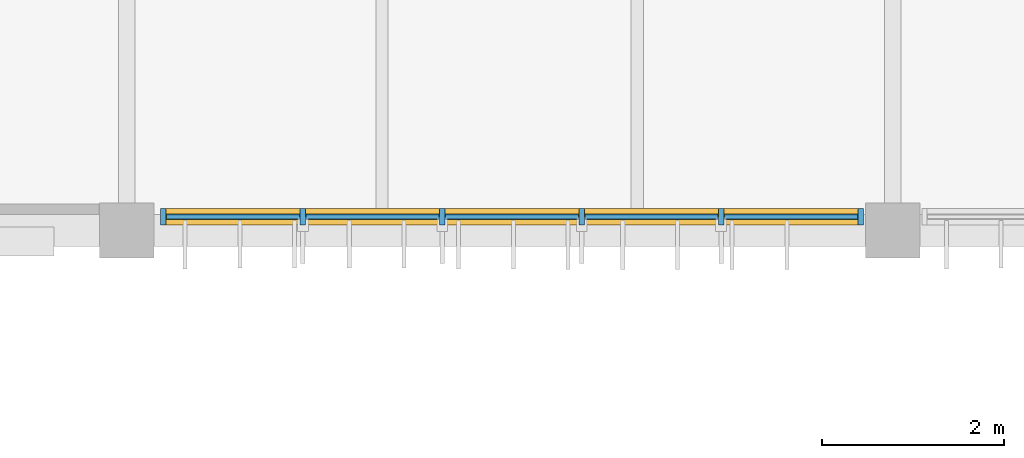
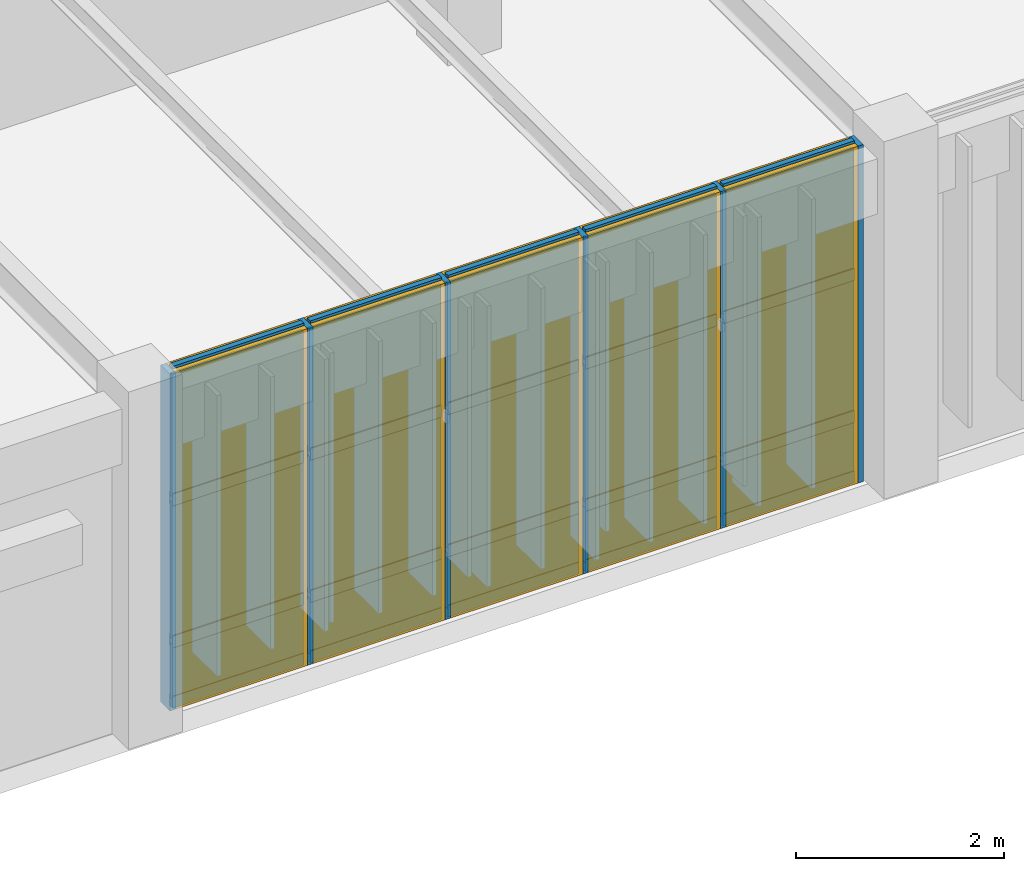
# One storey, part 83 of 104: 26 members, 15 plates, 1 curtain wall.
"""IFC4 building model written with IfcOpenShell, lengths in metres."""

import ifcopenshell
import ifcopenshell.guid

model = None  # the IFC model being written
_history = None  # IfcOwnerHistory: only IFC2X3 demands one
_inside = {}  # id of a spatial element -> (the spatial element, [elements in it])
_under = {}  # id of a project, library or spatial element -> (it, [spatial elements below it])
_declared = {}  # id of a project -> (the project, [libraries it declares])
_typed = {}  # id of a type object -> (the type object, [elements of that type])
_made_of = {}  # id of a material, layer set ... -> (it, [elements and type objects made of it])


def new_model(schema):
    """Start an empty IFC model of exactly this schema.

    Asked for "IFC4X3", IfcOpenShell would pick the latest addendum, in which some entities
    have other attributes; the version numbers below select the first issue.
    IFC2X3 requires an IfcOwnerHistory on every rooted entity: one is made here for all.
    """
    global model, _history
    if schema == "IFC4X3":
        model = ifcopenshell.file(schema_version=(4, 3, 0, 0))
    else:
        model = ifcopenshell.file(schema=schema)
    _inside.clear()
    _under.clear()
    _declared.clear()
    _typed.clear()
    _made_of.clear()
    _history = None
    if model.schema == "IFC2X3":
        org = make("IfcOrganization", Name="unknown")
        user = make(
            "IfcPersonAndOrganization",
            ThePerson=make("IfcPerson", FamilyName="unknown"),
            TheOrganization=org,
        )
        app = make(
            "IfcApplication",
            ApplicationDeveloper=org,
            Version="unknown",
            ApplicationFullName="unknown",
            ApplicationIdentifier="unknown",
        )
        _history = make(
            "IfcOwnerHistory",
            OwningUser=user,
            OwningApplication=app,
            ChangeAction="ADDED",
            CreationDate=0,
        )
    return model


def make(cls, **values):
    """One entity of the class cls with the attributes given. An attribute that is None is left unset."""
    return model.create_entity(
        cls, **{name: value for name, value in values.items() if value is not None}
    )


def rooted(cls, **values):
    """An entity with a GlobalId (a new one), such as an element, a storey or a relation."""
    return make(cls, GlobalId=ifcopenshell.guid.new(), OwnerHistory=_history, **values)


def si_unit(unit_type, name, prefix=None):
    """IfcSIUnit, for example si_unit("LENGTHUNIT", "METRE", prefix="MILLI")."""
    return make("IfcSIUnit", UnitType=unit_type, Prefix=prefix, Name=name)


def assignment(units):
    """IfcUnitAssignment: the units of a project."""
    return None if units is None else make("IfcUnitAssignment", Units=units)


def point(xyz):
    """IfcCartesianPoint."""
    return None if xyz is None else make("IfcCartesianPoint", Coordinates=xyz)


def direction(xyz):
    """IfcDirection."""
    return None if xyz is None else make("IfcDirection", DirectionRatios=xyz)


def frame(location, z_axis=None, x_axis=None):
    """IfcAxis2Placement3D, a coordinate frame: its origin and axes. An axis left out is left unset."""
    return make(
        "IfcAxis2Placement3D",
        Location=point(location),
        Axis=direction(z_axis),
        RefDirection=direction(x_axis),
    )


def frame_2d(location, x_axis=None):
    """IfcAxis2Placement2D, a coordinate frame in the plane: its origin and x axis."""
    return make(
        "IfcAxis2Placement2D", Location=point(location), RefDirection=direction(x_axis)
    )


def origin():
    """The frame at (0, 0, 0) with its axes left unset."""
    return frame((0.0, 0.0, 0.0))


def origin_2d():
    """The frame at (0, 0) in the plane with its x axis left unset."""
    return frame_2d((0.0, 0.0))


def place(relative_to, where):
    """IfcLocalPlacement: puts the frame where relative to a parent placement (None: the world)."""
    return make(
        "IfcLocalPlacement", PlacementRelTo=relative_to, RelativePlacement=where
    )


def context(
    kind, dimensions, precision=None, world=None, true_north=None, identifier=None
):
    """IfcGeometricRepresentationContext, for example the 3D "Model" context."""
    return make(
        "IfcGeometricRepresentationContext",
        ContextIdentifier=identifier,
        ContextType=kind,
        CoordinateSpaceDimension=dimensions,
        Precision=precision,
        WorldCoordinateSystem=world,
        TrueNorth=true_north,
    )


def subcontext(parent, identifier, kind, view, scale=None):
    """IfcGeometricRepresentationSubContext, for example "Body" below "Model"."""
    return make(
        "IfcGeometricRepresentationSubContext",
        ContextIdentifier=identifier,
        ContextType=kind,
        ParentContext=parent,
        TargetScale=scale,
        TargetView=view,
    )


def project(units=None, contexts=None):
    """IfcProject with its units and contexts."""
    return rooted(
        "IfcProject",
        Name="project",
        RepresentationContexts=contexts,
        UnitsInContext=assignment(units),
    )


def spatial(cls, under=None, at=None, **own):
    """A site, building, storey or space (cls), placed at a placement, below another one or the project."""
    s = rooted(cls, ObjectPlacement=at, **own)
    if under is not None:
        _under.setdefault(under.id(), (under, []))[1].append(s)
    return s


def profile(cls, at=None, kind="AREA", **sizes):
    """A parametric profile (cls). Its sizes go by their IFC names, for example OverallWidth=200.0."""
    return make(cls, ProfileType=kind, Position=at, **sizes)


def rectangle(**sizes):
    """IfcRectangleProfileDef."""
    return profile("IfcRectangleProfileDef", **sizes)


def extrude(swept, where, along, depth):
    """IfcExtrudedAreaSolid: the profile swept, set in the frame where, extruded along a direction by depth."""
    return make(
        "IfcExtrudedAreaSolid",
        SweptArea=swept,
        Position=where,
        ExtrudedDirection=direction(along),
        Depth=depth,
    )


def shape(context_of_items, identifier, shape_type, items):
    """IfcShapeRepresentation: the items that make up one representation, for example the "Body"."""
    return make(
        "IfcShapeRepresentation",
        ContextOfItems=context_of_items,
        RepresentationIdentifier=identifier,
        RepresentationType=shape_type,
        Items=items,
    )


def material(Name=None, Category=None):
    """IfcMaterial."""
    return make("IfcMaterial", Name=Name, Category=Category)


def layer(
    of_material, thickness, ventilated=None, Name=None, Category=None, Priority=None
):
    """IfcMaterialLayer: one layer of a wall or slab, of a material (None: an air gap)."""
    return make(
        "IfcMaterialLayer",
        Material=of_material,
        LayerThickness=thickness,
        IsVentilated=ventilated,
        Name=Name,
        Category=Category,
        Priority=Priority,
    )


def layer_set(layers, Name=None):
    """IfcMaterialLayerSet."""
    return make("IfcMaterialLayerSet", MaterialLayers=layers, LayerSetName=Name)


def material_profile(
    of_material, cross_section, Name=None, Category=None, Priority=None
):
    """IfcMaterialProfile: a cross section and its material."""
    return make(
        "IfcMaterialProfile",
        Name=Name,
        Material=of_material,
        Profile=cross_section,
        Priority=Priority,
        Category=Category,
    )


def profile_set(profiles, Name=None, composite=None):
    """IfcMaterialProfileSet."""
    return make(
        "IfcMaterialProfileSet",
        Name=Name,
        MaterialProfiles=profiles,
        CompositeProfile=composite,
    )


def made_of(thing, what):
    """Note that an element or type object is made of a material, layer set ...; save() writes the relation."""
    if what is not None:
        _made_of.setdefault(what.id(), (what, []))[1].append(thing)
    return thing


def type_object(cls, material=None, **own):
    """A type object (cls), such as IfcWallType, which elements share."""
    return made_of(rooted(cls, **own), material)


def element(
    cls,
    number,
    at=None,
    inside=None,
    cuts=None,
    type_object=None,
    material=None,
    context=None,
    identifier="Body",
    shape_type=None,
    held_by="IfcProductDefinitionShape",
    body=None,
    shapes=None,
    **own,
):
    """One element of the class cls, such as IfcWall. Its Tag is "e" and its number.

    at: its placement. inside: the storey or other place that contains it. cuts: it is an
    opening in that element (IfcRelVoidsElement). A single representation is given by context,
    identifier, shape_type and body (its items); several are given by shapes. held_by: the class
    of the entity that holds the representations. save() writes the other relations.
    """
    e = rooted(cls, Tag="e%d" % number, ObjectPlacement=at, **own)
    if body is not None:
        shapes = [shape(context, identifier, shape_type, body)]
    if shapes is not None:
        e.Representation = make(held_by, Representations=shapes)
    if inside is not None:
        _inside.setdefault(inside.id(), (inside, []))[1].append(e)
    if cuts is not None:
        rooted(
            "IfcRelVoidsElement", RelatingBuildingElement=cuts, RelatedOpeningElement=e
        )
    if type_object is not None:
        _typed.setdefault(type_object.id(), (type_object, []))[1].append(e)
    return made_of(e, material)


def aggregate(whole, parts):
    """IfcRelAggregates: a whole, such as a stair, and the parts it consists of."""
    return rooted("IfcRelAggregates", RelatingObject=whole, RelatedObjects=parts)


def save(model, path):
    """Write the relations noted so far, then the file.

    IfcRelAggregates (storeys below a building ...), IfcRelContainedInSpatialStructure (elements
    in a storey), IfcRelDefinesByType, IfcRelAssociatesMaterial and IfcRelDeclares: one each for
    every whole, place, type object, material and project.
    """
    for whole, parts in _under.values():
        aggregate(whole, parts)
    for where, things in _inside.values():
        rooted(
            "IfcRelContainedInSpatialStructure",
            RelatedElements=things,
            RelatingStructure=where,
        )
    for kind, things in _typed.values():
        rooted("IfcRelDefinesByType", RelatedObjects=things, RelatingType=kind)
    for what, things in _made_of.values():
        rooted("IfcRelAssociatesMaterial", RelatedObjects=things, RelatingMaterial=what)
    for by, libraries in _declared.values():
        rooted("IfcRelDeclares", RelatingContext=by, RelatedDefinitions=libraries)
    model.write(path)


model = new_model("IFC4")

# Units and contexts
model_context = context("Model", 3, precision=1e-05, world=origin(), true_north=direction((0.0, 1.0)))
body_context = subcontext(model_context, "Body", "Model", "MODEL_VIEW")
ifc_project = project(units=[si_unit("LENGTHUNIT", "METRE"), si_unit("AREAUNIT", "SQUARE_METRE"), si_unit("VOLUMEUNIT", "CUBIC_METRE"), si_unit("PLANEANGLEUNIT", "RADIAN"), si_unit("MASSUNIT", "GRAM", prefix="KILO")], contexts=[model_context])

# Member
ifc_material_1 = material(Name="Anodised Bronze Aluminium 6063-T6", Category="aluminium")
ifc_material_profile_1 = material_profile(ifc_material_1, rectangle(XDim=0.06005859375, YDim=0.179931640625, at=origin_2d()), Name="ALU MULLION 60x180")
ifc_profile_set_1 = profile_set([ifc_material_profile_1], Name="Anodised Bronze Aluminium 6063-T6")
member_type_1 = type_object("IfcMemberType", Name="Curtain-Wall Primary Mullion 60x180", PredefinedType="MULLION", material=ifc_profile_set_1)
site_placement = place(None, origin())
building_placement = place(site_placement, origin())
storey_placement = place(building_placement, frame((0.0, 0.0, 9.0)))
member_1_placement = place(storey_placement, frame((125.800048828125, 87.949951171875, 0.0), z_axis=(0.0, 0.0, 1.0), x_axis=(1.0, 0.0, 0.0)))
member_1 = element("IfcMember", 1, at=member_1_placement, type_object=member_type_1, Name="Mullion CWM-01 CW-V3-S2-L02-B1-M01", PredefinedType="MULLION", context=body_context, shape_type="SweptSolid", body=[
    extrude(rectangle(XDim=0.06005859375, YDim=0.179931640625, at=origin_2d()), origin(), (0.0, 0.0, 1.0), 3.9599609375),
])

member_2_placement = place(storey_placement, frame((127.330078125, 87.949951171875, 0.0), z_axis=(0.0, 0.0, 1.0), x_axis=(1.0, 0.0, 0.0)))
member_2 = element("IfcMember", 2, at=member_2_placement, type_object=member_type_1, Name="Mullion CWM-01 CW-V3-S2-L02-B1-M02", PredefinedType="MULLION", context=body_context, shape_type="SweptSolid", body=[
    extrude(rectangle(XDim=0.06005859375, YDim=0.179931640625, at=origin_2d()), origin(), (0.0, 0.0, 1.0), 3.9599609375),
])

member_3_placement = place(storey_placement, frame((128.860107421875, 87.949951171875, 0.0), z_axis=(0.0, 0.0, 1.0), x_axis=(1.0, 0.0, 0.0)))
member_3 = element("IfcMember", 3, at=member_3_placement, type_object=member_type_1, Name="Mullion CWM-01 CW-V3-S2-L02-B1-M03", PredefinedType="MULLION", context=body_context, shape_type="SweptSolid", body=[
    extrude(rectangle(XDim=0.06005859375, YDim=0.179931640625, at=origin_2d()), origin(), (0.0, 0.0, 1.0), 3.9599609375),
])

member_4_placement = place(storey_placement, frame((130.389892578125, 87.949951171875, 0.0), z_axis=(0.0, 0.0, 1.0), x_axis=(1.0, 0.0, 0.0)))
member_4 = element("IfcMember", 4, at=member_4_placement, type_object=member_type_1, Name="Mullion CWM-01 CW-V3-S2-L02-B1-M04", PredefinedType="MULLION", context=body_context, shape_type="SweptSolid", body=[
    extrude(rectangle(XDim=0.06005859375, YDim=0.179931640625, at=origin_2d()), origin(), (0.0, 0.0, 1.0), 3.9599609375),
])

member_5_placement = place(storey_placement, frame((131.919921875, 87.949951171875, 0.0), z_axis=(0.0, 0.0, 1.0), x_axis=(1.0, 0.0, 0.0)))
member_5 = element("IfcMember", 5, at=member_5_placement, type_object=member_type_1, Name="Mullion CWM-01 CW-V3-S2-L02-B1-M05", PredefinedType="MULLION", context=body_context, shape_type="SweptSolid", body=[
    extrude(rectangle(XDim=0.06005859375, YDim=0.179931640625, at=origin_2d()), origin(), (0.0, 0.0, 1.0), 3.9599609375),
])

member_6_placement = place(storey_placement, frame((133.449951171875, 87.949951171875, 0.0), z_axis=(0.0, 0.0, 1.0), x_axis=(1.0, 0.0, 0.0)))
member_6 = element("IfcMember", 6, at=member_6_placement, type_object=member_type_1, Name="Mullion CWM-01 CW-V3-S2-L02-B1-M06", PredefinedType="MULLION", context=body_context, shape_type="SweptSolid", body=[
    extrude(rectangle(XDim=0.06005859375, YDim=0.179931640625, at=origin_2d()), origin(), (0.0, 0.0, 1.0), 3.9599609375),
])

ifc_material_profile_2 = material_profile(ifc_material_1, rectangle(XDim=0.06005859375, YDim=0.139892578125, at=origin_2d()), Name="ALU TRANSOM 60x140")
ifc_profile_set_2 = profile_set([ifc_material_profile_2], Name="Anodised Bronze Aluminium 6063-T6")
member_type_2 = type_object("IfcMemberType", Name="Curtain-Wall Transom 60x140", PredefinedType="USERDEFINED", material=ifc_profile_set_2)
member_7_placement = place(storey_placement, frame((125.8349609375, 87.949951171875, 0.0400390625), z_axis=(1.0, 0.0, 0.0), x_axis=(0.0, 1.0, 0.0)))
member_7 = element("IfcMember", 7, at=member_7_placement, type_object=member_type_2, Name="Transom CWT-01 CW-V3-S2-L02-B1-T01.1", ObjectType="TRANSOM", PredefinedType="USERDEFINED", context=body_context, shape_type="SweptSolid", body=[
    extrude(rectangle(XDim=0.06005859375, YDim=0.139892578125, at=origin_2d()), origin(), (0.0, 0.0, 1.0), 1.4599609375),
])

member_8_placement = place(storey_placement, frame((125.8349609375, 87.949951171875, 0.75), z_axis=(1.0, 0.0, 0.0), x_axis=(0.0, 1.0, 0.0)))
member_8 = element("IfcMember", 8, at=member_8_placement, type_object=member_type_2, Name="Transom CWT-01 CW-V3-S2-L02-B1-T01.2", ObjectType="TRANSOM", PredefinedType="USERDEFINED", context=body_context, shape_type="SweptSolid", body=[
    extrude(rectangle(XDim=0.06005859375, YDim=0.139892578125, at=origin_2d()), origin(), (0.0, 0.0, 1.0), 1.4599609375),
])

member_9_placement = place(storey_placement, frame((125.8349609375, 87.949951171875, 2.419189453125), z_axis=(1.0, 0.0, 0.0), x_axis=(0.0, 1.0, 0.0)))
member_9 = element("IfcMember", 9, at=member_9_placement, type_object=member_type_2, Name="Transom CWT-01 CW-V3-S2-L02-B1-T01.3", ObjectType="TRANSOM", PredefinedType="USERDEFINED", context=body_context, shape_type="SweptSolid", body=[
    extrude(rectangle(XDim=0.06005859375, YDim=0.139892578125, at=origin_2d()), origin(), (0.0, 0.0, 1.0), 1.4599609375),
])

member_10_placement = place(storey_placement, frame((125.8349609375, 87.949951171875, 3.919921875), z_axis=(1.0, 0.0, 0.0), x_axis=(0.0, 1.0, 0.0)))
member_10 = element("IfcMember", 10, at=member_10_placement, type_object=member_type_2, Name="Transom CWT-01 CW-V3-S2-L02-B1-T01.4", ObjectType="TRANSOM", PredefinedType="USERDEFINED", context=body_context, shape_type="SweptSolid", body=[
    extrude(rectangle(XDim=0.06005859375, YDim=0.139892578125, at=origin_2d()), origin(), (0.0, 0.0, 1.0), 1.4599609375),
])

member_11_placement = place(storey_placement, frame((127.364990234375, 87.949951171875, 0.0400390625), z_axis=(1.0, 0.0, 0.0), x_axis=(0.0, 1.0, 0.0)))
member_11 = element("IfcMember", 11, at=member_11_placement, type_object=member_type_2, Name="Transom CWT-01 CW-V3-S2-L02-B1-T02.1", ObjectType="TRANSOM", PredefinedType="USERDEFINED", context=body_context, shape_type="SweptSolid", body=[
    extrude(rectangle(XDim=0.06005859375, YDim=0.139892578125, at=origin_2d()), origin(), (0.0, 0.0, 1.0), 1.4599609375),
])

member_12_placement = place(storey_placement, frame((127.364990234375, 87.949951171875, 0.75), z_axis=(1.0, 0.0, 0.0), x_axis=(0.0, 1.0, 0.0)))
member_12 = element("IfcMember", 12, at=member_12_placement, type_object=member_type_2, Name="Transom CWT-01 CW-V3-S2-L02-B1-T02.2", ObjectType="TRANSOM", PredefinedType="USERDEFINED", context=body_context, shape_type="SweptSolid", body=[
    extrude(rectangle(XDim=0.06005859375, YDim=0.139892578125, at=origin_2d()), origin(), (0.0, 0.0, 1.0), 1.4599609375),
])

member_13_placement = place(storey_placement, frame((127.364990234375, 87.949951171875, 2.419189453125), z_axis=(1.0, 0.0, 0.0), x_axis=(0.0, 1.0, 0.0)))
member_13 = element("IfcMember", 13, at=member_13_placement, type_object=member_type_2, Name="Transom CWT-01 CW-V3-S2-L02-B1-T02.3", ObjectType="TRANSOM", PredefinedType="USERDEFINED", context=body_context, shape_type="SweptSolid", body=[
    extrude(rectangle(XDim=0.06005859375, YDim=0.139892578125, at=origin_2d()), origin(), (0.0, 0.0, 1.0), 1.4599609375),
])

member_14_placement = place(storey_placement, frame((127.364990234375, 87.949951171875, 3.919921875), z_axis=(1.0, 0.0, 0.0), x_axis=(0.0, 1.0, 0.0)))
member_14 = element("IfcMember", 14, at=member_14_placement, type_object=member_type_2, Name="Transom CWT-01 CW-V3-S2-L02-B1-T02.4", ObjectType="TRANSOM", PredefinedType="USERDEFINED", context=body_context, shape_type="SweptSolid", body=[
    extrude(rectangle(XDim=0.06005859375, YDim=0.139892578125, at=origin_2d()), origin(), (0.0, 0.0, 1.0), 1.4599609375),
])

member_15_placement = place(storey_placement, frame((128.89501953125, 87.949951171875, 0.0400390625), z_axis=(1.0, 0.0, 0.0), x_axis=(0.0, 1.0, 0.0)))
member_15 = element("IfcMember", 15, at=member_15_placement, type_object=member_type_2, Name="Transom CWT-01 CW-V3-S2-L02-B1-T03.1", ObjectType="TRANSOM", PredefinedType="USERDEFINED", context=body_context, shape_type="SweptSolid", body=[
    extrude(rectangle(XDim=0.06005859375, YDim=0.139892578125, at=origin_2d()), origin(), (0.0, 0.0, 1.0), 1.4599609375),
])

member_16_placement = place(storey_placement, frame((128.89501953125, 87.949951171875, 0.75), z_axis=(1.0, 0.0, 0.0), x_axis=(0.0, 1.0, 0.0)))
member_16 = element("IfcMember", 16, at=member_16_placement, type_object=member_type_2, Name="Transom CWT-01 CW-V3-S2-L02-B1-T03.2", ObjectType="TRANSOM", PredefinedType="USERDEFINED", context=body_context, shape_type="SweptSolid", body=[
    extrude(rectangle(XDim=0.06005859375, YDim=0.139892578125, at=origin_2d()), origin(), (0.0, 0.0, 1.0), 1.4599609375),
])

member_17_placement = place(storey_placement, frame((128.89501953125, 87.949951171875, 2.419189453125), z_axis=(1.0, 0.0, 0.0), x_axis=(0.0, 1.0, 0.0)))
member_17 = element("IfcMember", 17, at=member_17_placement, type_object=member_type_2, Name="Transom CWT-01 CW-V3-S2-L02-B1-T03.3", ObjectType="TRANSOM", PredefinedType="USERDEFINED", context=body_context, shape_type="SweptSolid", body=[
    extrude(rectangle(XDim=0.06005859375, YDim=0.139892578125, at=origin_2d()), origin(), (0.0, 0.0, 1.0), 1.4599609375),
])

member_18_placement = place(storey_placement, frame((128.89501953125, 87.949951171875, 3.919921875), z_axis=(1.0, 0.0, 0.0), x_axis=(0.0, 1.0, 0.0)))
member_18 = element("IfcMember", 18, at=member_18_placement, type_object=member_type_2, Name="Transom CWT-01 CW-V3-S2-L02-B1-T03.4", ObjectType="TRANSOM", PredefinedType="USERDEFINED", context=body_context, shape_type="SweptSolid", body=[
    extrude(rectangle(XDim=0.06005859375, YDim=0.139892578125, at=origin_2d()), origin(), (0.0, 0.0, 1.0), 1.4599609375),
])

member_19_placement = place(storey_placement, frame((130.425048828125, 87.949951171875, 0.0400390625), z_axis=(1.0, 0.0, 0.0), x_axis=(0.0, 1.0, 0.0)))
member_19 = element("IfcMember", 19, at=member_19_placement, type_object=member_type_2, Name="Transom CWT-01 CW-V3-S2-L02-B1-T04.1", ObjectType="TRANSOM", PredefinedType="USERDEFINED", context=body_context, shape_type="SweptSolid", body=[
    extrude(rectangle(XDim=0.06005859375, YDim=0.139892578125, at=origin_2d()), origin(), (0.0, 0.0, 1.0), 1.4599609375),
])

member_20_placement = place(storey_placement, frame((130.425048828125, 87.949951171875, 0.75), z_axis=(1.0, 0.0, 0.0), x_axis=(0.0, 1.0, 0.0)))
member_20 = element("IfcMember", 20, at=member_20_placement, type_object=member_type_2, Name="Transom CWT-01 CW-V3-S2-L02-B1-T04.2", ObjectType="TRANSOM", PredefinedType="USERDEFINED", context=body_context, shape_type="SweptSolid", body=[
    extrude(rectangle(XDim=0.06005859375, YDim=0.139892578125, at=origin_2d()), origin(), (0.0, 0.0, 1.0), 1.4599609375),
])

member_21_placement = place(storey_placement, frame((130.425048828125, 87.949951171875, 2.419189453125), z_axis=(1.0, 0.0, 0.0), x_axis=(0.0, 1.0, 0.0)))
member_21 = element("IfcMember", 21, at=member_21_placement, type_object=member_type_2, Name="Transom CWT-01 CW-V3-S2-L02-B1-T04.3", ObjectType="TRANSOM", PredefinedType="USERDEFINED", context=body_context, shape_type="SweptSolid", body=[
    extrude(rectangle(XDim=0.06005859375, YDim=0.139892578125, at=origin_2d()), origin(), (0.0, 0.0, 1.0), 1.4599609375),
])

member_22_placement = place(storey_placement, frame((130.425048828125, 87.949951171875, 3.919921875), z_axis=(1.0, 0.0, 0.0), x_axis=(0.0, 1.0, 0.0)))
member_22 = element("IfcMember", 22, at=member_22_placement, type_object=member_type_2, Name="Transom CWT-01 CW-V3-S2-L02-B1-T04.4", ObjectType="TRANSOM", PredefinedType="USERDEFINED", context=body_context, shape_type="SweptSolid", body=[
    extrude(rectangle(XDim=0.06005859375, YDim=0.139892578125, at=origin_2d()), origin(), (0.0, 0.0, 1.0), 1.4599609375),
])

member_23_placement = place(storey_placement, frame((131.955078125, 87.949951171875, 0.0400390625), z_axis=(1.0, 0.0, 0.0), x_axis=(0.0, 1.0, 0.0)))
member_23 = element("IfcMember", 23, at=member_23_placement, type_object=member_type_2, Name="Transom CWT-01 CW-V3-S2-L02-B1-T05.1", ObjectType="TRANSOM", PredefinedType="USERDEFINED", context=body_context, shape_type="SweptSolid", body=[
    extrude(rectangle(XDim=0.06005859375, YDim=0.139892578125, at=origin_2d()), origin(), (0.0, 0.0, 1.0), 1.4599609375),
])

member_24_placement = place(storey_placement, frame((131.955078125, 87.949951171875, 0.75), z_axis=(1.0, 0.0, 0.0), x_axis=(0.0, 1.0, 0.0)))
member_24 = element("IfcMember", 24, at=member_24_placement, type_object=member_type_2, Name="Transom CWT-01 CW-V3-S2-L02-B1-T05.2", ObjectType="TRANSOM", PredefinedType="USERDEFINED", context=body_context, shape_type="SweptSolid", body=[
    extrude(rectangle(XDim=0.06005859375, YDim=0.139892578125, at=origin_2d()), origin(), (0.0, 0.0, 1.0), 1.4599609375),
])

member_25_placement = place(storey_placement, frame((131.955078125, 87.949951171875, 2.419189453125), z_axis=(1.0, 0.0, 0.0), x_axis=(0.0, 1.0, 0.0)))
member_25 = element("IfcMember", 25, at=member_25_placement, type_object=member_type_2, Name="Transom CWT-01 CW-V3-S2-L02-B1-T05.3", ObjectType="TRANSOM", PredefinedType="USERDEFINED", context=body_context, shape_type="SweptSolid", body=[
    extrude(rectangle(XDim=0.06005859375, YDim=0.139892578125, at=origin_2d()), origin(), (0.0, 0.0, 1.0), 1.4599609375),
])

member_26_placement = place(storey_placement, frame((131.955078125, 87.949951171875, 3.919921875), z_axis=(1.0, 0.0, 0.0), x_axis=(0.0, 1.0, 0.0)))
member_26 = element("IfcMember", 26, at=member_26_placement, type_object=member_type_2, Name="Transom CWT-01 CW-V3-S2-L02-B1-T05.4", ObjectType="TRANSOM", PredefinedType="USERDEFINED", context=body_context, shape_type="SweptSolid", body=[
    extrude(rectangle(XDim=0.06005859375, YDim=0.139892578125, at=origin_2d()), origin(), (0.0, 0.0, 1.0), 1.4599609375),
])

# Plate
ifc_material_2 = material(Name="Insulated Bronze Aluminium Spandrel Panel", Category="aluminium")
ifc_layer_1 = layer(ifc_material_2, 0.050048828125, Name="Insulated Bronze Aluminium Spandrel Panel")
ifc_layer_set_1 = layer_set([ifc_layer_1], Name="Insulated Bronze Aluminium Spandrel Panel")
plate_type_1 = type_object("IfcPlateType", Name="Insulated Anodised Aluminium Spandrel Cassette 50", PredefinedType="CURTAIN_PANEL", material=ifc_layer_set_1)
plate_1_placement = place(storey_placement, frame((126.56494140625, 87.949951171875, 0.070068359375), z_axis=(0.0, 0.0, 1.0), x_axis=(1.0, 0.0, 0.0)))
plate_1 = element("IfcPlate", 27, at=plate_1_placement, type_object=plate_type_1, Name="Curtain Panel CWP-03 CW-V3-S2-L02-B1-P01.1", PredefinedType="CURTAIN_PANEL", context=body_context, shape_type="SweptSolid", body=[
    extrude(rectangle(XDim=1.4599609375, YDim=0.050048828125, at=origin_2d()), origin(), (0.0, 0.0, 1.0), 0.64990234375),
])

plate_2_placement = place(storey_placement, frame((128.094970703125, 87.949951171875, 0.070068359375), z_axis=(0.0, 0.0, 1.0), x_axis=(1.0, 0.0, 0.0)))
plate_2 = element("IfcPlate", 28, at=plate_2_placement, type_object=plate_type_1, Name="Curtain Panel CWP-03 CW-V3-S2-L02-B1-P02.1", PredefinedType="CURTAIN_PANEL", context=body_context, shape_type="SweptSolid", body=[
    extrude(rectangle(XDim=1.4599609375, YDim=0.050048828125, at=origin_2d()), origin(), (0.0, 0.0, 1.0), 0.64990234375),
])

plate_3_placement = place(storey_placement, frame((129.625, 87.949951171875, 0.070068359375), z_axis=(0.0, 0.0, 1.0), x_axis=(1.0, 0.0, 0.0)))
plate_3 = element("IfcPlate", 29, at=plate_3_placement, type_object=plate_type_1, Name="Curtain Panel CWP-03 CW-V3-S2-L02-B1-P03.1", PredefinedType="CURTAIN_PANEL", context=body_context, shape_type="SweptSolid", body=[
    extrude(rectangle(XDim=1.4599609375, YDim=0.050048828125, at=origin_2d()), origin(), (0.0, 0.0, 1.0), 0.64990234375),
])

plate_4_placement = place(storey_placement, frame((131.155029296875, 87.949951171875, 0.070068359375), z_axis=(0.0, 0.0, 1.0), x_axis=(1.0, 0.0, 0.0)))
plate_4 = element("IfcPlate", 30, at=plate_4_placement, type_object=plate_type_1, Name="Curtain Panel CWP-03 CW-V3-S2-L02-B1-P04.1", PredefinedType="CURTAIN_PANEL", context=body_context, shape_type="SweptSolid", body=[
    extrude(rectangle(XDim=1.4599609375, YDim=0.050048828125, at=origin_2d()), origin(), (0.0, 0.0, 1.0), 0.64990234375),
])

plate_5_placement = place(storey_placement, frame((132.68505859375, 87.949951171875, 0.070068359375), z_axis=(0.0, 0.0, 1.0), x_axis=(1.0, 0.0, 0.0)))
plate_5 = element("IfcPlate", 31, at=plate_5_placement, type_object=plate_type_1, Name="Curtain Panel CWP-03 CW-V3-S2-L02-B1-P05.1", PredefinedType="CURTAIN_PANEL", context=body_context, shape_type="SweptSolid", body=[
    extrude(rectangle(XDim=1.4599609375, YDim=0.050048828125, at=origin_2d()), origin(), (0.0, 0.0, 1.0), 0.64990234375),
])

ifc_material_3 = material(Name="Solar-Control Tempered Double Glazing", Category="glass")
ifc_layer_2 = layer(ifc_material_3, 0.0380859375, Name="Solar-Control Tempered Double Glazing")
ifc_layer_set_2 = layer_set([ifc_layer_2], Name="Solar-Control Tempered Double Glazing")
plate_type_2 = type_object("IfcPlateType", Name="Solar-Control Vision Glazing Unit 38", PredefinedType="CURTAIN_PANEL", material=ifc_layer_set_2)
plate_6_placement = place(storey_placement, frame((126.56494140625, 87.949951171875, 0.7802734375), z_axis=(0.0, 0.0, 1.0), x_axis=(1.0, 0.0, 0.0)))
plate_6 = element("IfcPlate", 32, at=plate_6_placement, type_object=plate_type_2, Name="Curtain Panel CWP-02 CW-V3-S2-L02-B1-P01.2", PredefinedType="CURTAIN_PANEL", context=body_context, shape_type="SweptSolid", body=[
    extrude(rectangle(XDim=1.4599609375, YDim=0.0380859375, at=origin_2d()), origin(), (0.0, 0.0, 1.0), 1.609130859375),
])

plate_7_placement = place(storey_placement, frame((126.56494140625, 87.949951171875, 2.44921875), z_axis=(0.0, 0.0, 1.0), x_axis=(1.0, 0.0, 0.0)))
plate_7 = element("IfcPlate", 33, at=plate_7_placement, type_object=plate_type_2, Name="Curtain Panel CWP-02 CW-V3-S2-L02-B1-P01.3", PredefinedType="CURTAIN_PANEL", context=body_context, shape_type="SweptSolid", body=[
    extrude(rectangle(XDim=1.4599609375, YDim=0.0380859375, at=origin_2d()), origin(), (0.0, 0.0, 1.0), 1.44091796875),
])

plate_8_placement = place(storey_placement, frame((128.094970703125, 87.949951171875, 0.7802734375), z_axis=(0.0, 0.0, 1.0), x_axis=(1.0, 0.0, 0.0)))
plate_8 = element("IfcPlate", 34, at=plate_8_placement, type_object=plate_type_2, Name="Curtain Panel CWP-02 CW-V3-S2-L02-B1-P02.2", PredefinedType="CURTAIN_PANEL", context=body_context, shape_type="SweptSolid", body=[
    extrude(rectangle(XDim=1.4599609375, YDim=0.0380859375, at=origin_2d()), origin(), (0.0, 0.0, 1.0), 1.609130859375),
])

plate_9_placement = place(storey_placement, frame((128.094970703125, 87.949951171875, 2.44921875), z_axis=(0.0, 0.0, 1.0), x_axis=(1.0, 0.0, 0.0)))
plate_9 = element("IfcPlate", 35, at=plate_9_placement, type_object=plate_type_2, Name="Curtain Panel CWP-02 CW-V3-S2-L02-B1-P02.3", PredefinedType="CURTAIN_PANEL", context=body_context, shape_type="SweptSolid", body=[
    extrude(rectangle(XDim=1.4599609375, YDim=0.0380859375, at=origin_2d()), origin(), (0.0, 0.0, 1.0), 1.44091796875),
])

plate_10_placement = place(storey_placement, frame((129.625, 87.949951171875, 0.7802734375), z_axis=(0.0, 0.0, 1.0), x_axis=(1.0, 0.0, 0.0)))
plate_10 = element("IfcPlate", 36, at=plate_10_placement, type_object=plate_type_2, Name="Curtain Panel CWP-02 CW-V3-S2-L02-B1-P03.2", PredefinedType="CURTAIN_PANEL", context=body_context, shape_type="SweptSolid", body=[
    extrude(rectangle(XDim=1.4599609375, YDim=0.0380859375, at=origin_2d()), origin(), (0.0, 0.0, 1.0), 1.609130859375),
])

plate_11_placement = place(storey_placement, frame((129.625, 87.949951171875, 2.44921875), z_axis=(0.0, 0.0, 1.0), x_axis=(1.0, 0.0, 0.0)))
plate_11 = element("IfcPlate", 37, at=plate_11_placement, type_object=plate_type_2, Name="Curtain Panel CWP-02 CW-V3-S2-L02-B1-P03.3", PredefinedType="CURTAIN_PANEL", context=body_context, shape_type="SweptSolid", body=[
    extrude(rectangle(XDim=1.4599609375, YDim=0.0380859375, at=origin_2d()), origin(), (0.0, 0.0, 1.0), 1.44091796875),
])

plate_12_placement = place(storey_placement, frame((131.155029296875, 87.949951171875, 0.7802734375), z_axis=(0.0, 0.0, 1.0), x_axis=(1.0, 0.0, 0.0)))
plate_12 = element("IfcPlate", 38, at=plate_12_placement, type_object=plate_type_2, Name="Curtain Panel CWP-02 CW-V3-S2-L02-B1-P04.2", PredefinedType="CURTAIN_PANEL", context=body_context, shape_type="SweptSolid", body=[
    extrude(rectangle(XDim=1.4599609375, YDim=0.0380859375, at=origin_2d()), origin(), (0.0, 0.0, 1.0), 1.609130859375),
])

plate_13_placement = place(storey_placement, frame((131.155029296875, 87.949951171875, 2.44921875), z_axis=(0.0, 0.0, 1.0), x_axis=(1.0, 0.0, 0.0)))
plate_13 = element("IfcPlate", 39, at=plate_13_placement, type_object=plate_type_2, Name="Curtain Panel CWP-02 CW-V3-S2-L02-B1-P04.3", PredefinedType="CURTAIN_PANEL", context=body_context, shape_type="SweptSolid", body=[
    extrude(rectangle(XDim=1.4599609375, YDim=0.0380859375, at=origin_2d()), origin(), (0.0, 0.0, 1.0), 1.44091796875),
])

plate_14_placement = place(storey_placement, frame((132.68505859375, 87.949951171875, 0.7802734375), z_axis=(0.0, 0.0, 1.0), x_axis=(1.0, 0.0, 0.0)))
plate_14 = element("IfcPlate", 40, at=plate_14_placement, type_object=plate_type_2, Name="Curtain Panel CWP-02 CW-V3-S2-L02-B1-P05.2", PredefinedType="CURTAIN_PANEL", context=body_context, shape_type="SweptSolid", body=[
    extrude(rectangle(XDim=1.4599609375, YDim=0.0380859375, at=origin_2d()), origin(), (0.0, 0.0, 1.0), 1.609130859375),
])

plate_15_placement = place(storey_placement, frame((132.68505859375, 87.949951171875, 2.44921875), z_axis=(0.0, 0.0, 1.0), x_axis=(1.0, 0.0, 0.0)))
plate_15 = element("IfcPlate", 41, at=plate_15_placement, type_object=plate_type_2, Name="Curtain Panel CWP-02 CW-V3-S2-L02-B1-P05.3", PredefinedType="CURTAIN_PANEL", context=body_context, shape_type="SweptSolid", body=[
    extrude(rectangle(XDim=1.4599609375, YDim=0.0380859375, at=origin_2d()), origin(), (0.0, 0.0, 1.0), 1.44091796875),
])

# Site, building, storey
site = spatial("IfcSite", under=ifc_project, at=site_placement, CompositionType="ELEMENT")
building = spatial("IfcBuilding", under=site, at=building_placement, Name="Tazoul Stagehouse", CompositionType="ELEMENT")
storey = spatial("IfcBuildingStorey", under=building, at=storey_placement, Name="L02", CompositionType="ELEMENT", Elevation=9.0)

# Curtain wall
curtain_wall_type = type_object("IfcCurtainWallType", Name="Rehearsal North Daylight Curtain Wall", PredefinedType="NOTDEFINED", material=ifc_material_1)
curtain_wall_placement = place(storey_placement, frame((125.800048828125, 87.949951171875, 0.0), z_axis=(0.0, 0.0, 1.0), x_axis=(1.0, 0.0, 0.0)))
curtain_wall = element("IfcCurtainWall", 42, at=curtain_wall_placement, inside=storey, type_object=curtain_wall_type, Name="L02 Curtain Wall CW-04 (CW-V3-S2-L02-B1)", PredefinedType="NOTDEFINED", context=body_context, shape_type="SweptSolid", body=[
    extrude(rectangle(XDim=7.64990234375, YDim=0.179931640625, at=frame_2d((3.824951171875, 0.0))), origin(), (0.0, 0.0, 1.0), 3.9599609375),
])

aggregate(curtain_wall, [member_1, member_2, member_3, member_4, member_5, member_6, member_7, member_8, member_9, member_10, plate_1, plate_6, plate_7, member_11, member_12, member_13, member_14, plate_2, plate_8, plate_9, member_15, member_16, member_17, member_18, plate_3, plate_10, plate_11, member_19, member_20, member_21, member_22, plate_4, plate_12, plate_13, member_23, member_24, member_25, member_26, plate_5, plate_14, plate_15])

save(model, "model.ifc")
